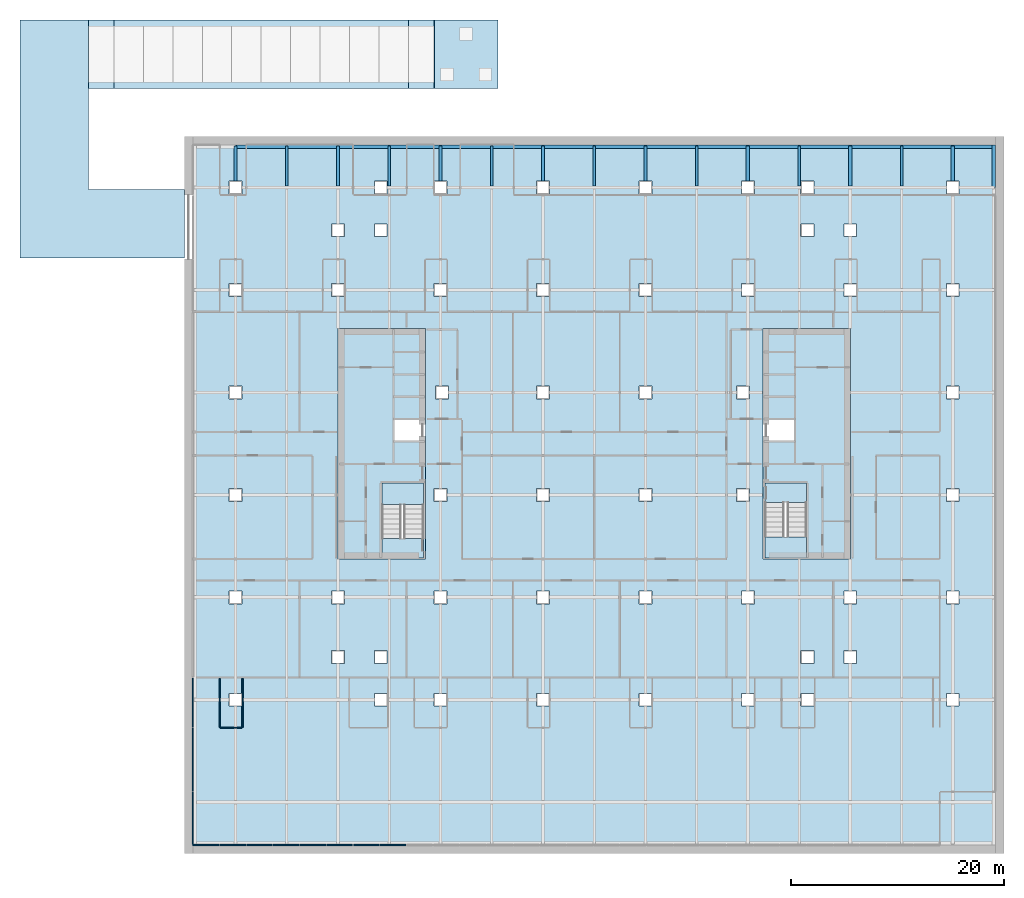
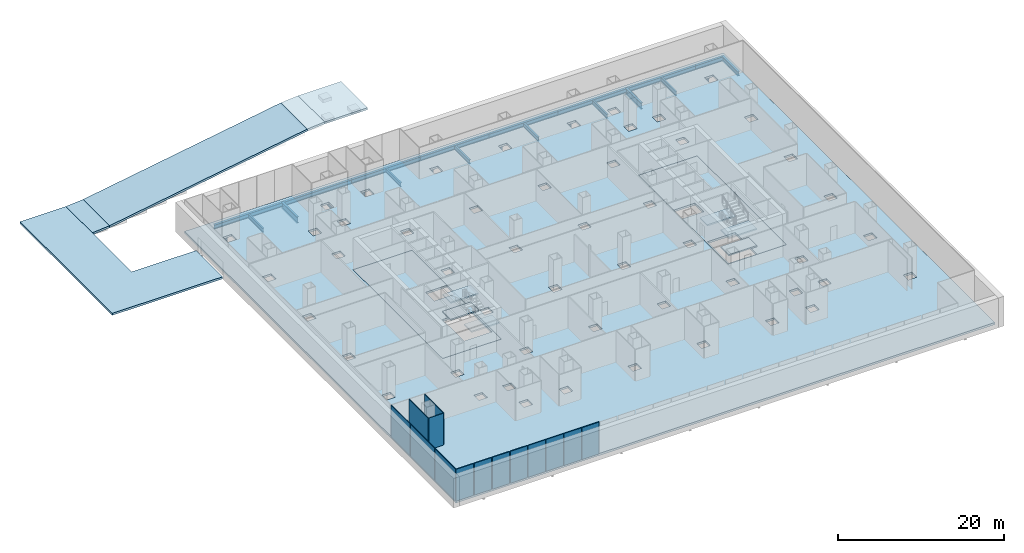
# One storey, part 4 of 11: 22 beams, 14 slabs, 14 walls, 2 elements without a shape of their own.
"""IFC4 building model written with IfcOpenShell, lengths in metres."""

import ifcopenshell
import ifcopenshell.guid

model = None  # the IFC model being written
_history = None  # IfcOwnerHistory: only IFC2X3 demands one
_inside = {}  # id of a spatial element -> (the spatial element, [elements in it])
_under = {}  # id of a project, library or spatial element -> (it, [spatial elements below it])
_declared = {}  # id of a project -> (the project, [libraries it declares])
_typed = {}  # id of a type object -> (the type object, [elements of that type])
_made_of = {}  # id of a material, layer set ... -> (it, [elements and type objects made of it])


def new_model(schema):
    """Start an empty IFC model of exactly this schema.

    Asked for "IFC4X3", IfcOpenShell would pick the latest addendum, in which some entities
    have other attributes; the version numbers below select the first issue.
    IFC2X3 requires an IfcOwnerHistory on every rooted entity: one is made here for all.
    """
    global model, _history
    if schema == "IFC4X3":
        model = ifcopenshell.file(schema_version=(4, 3, 0, 0))
    else:
        model = ifcopenshell.file(schema=schema)
    _inside.clear()
    _under.clear()
    _declared.clear()
    _typed.clear()
    _made_of.clear()
    _history = None
    if model.schema == "IFC2X3":
        org = make("IfcOrganization", Name="unknown")
        user = make(
            "IfcPersonAndOrganization",
            ThePerson=make("IfcPerson", FamilyName="unknown"),
            TheOrganization=org,
        )
        app = make(
            "IfcApplication",
            ApplicationDeveloper=org,
            Version="unknown",
            ApplicationFullName="unknown",
            ApplicationIdentifier="unknown",
        )
        _history = make(
            "IfcOwnerHistory",
            OwningUser=user,
            OwningApplication=app,
            ChangeAction="ADDED",
            CreationDate=0,
        )
    return model


def make(cls, **values):
    """One entity of the class cls with the attributes given. An attribute that is None is left unset."""
    return model.create_entity(
        cls, **{name: value for name, value in values.items() if value is not None}
    )


def rooted(cls, **values):
    """An entity with a GlobalId (a new one), such as an element, a storey or a relation."""
    return make(cls, GlobalId=ifcopenshell.guid.new(), OwnerHistory=_history, **values)


def si_unit(unit_type, name, prefix=None):
    """IfcSIUnit, for example si_unit("LENGTHUNIT", "METRE", prefix="MILLI")."""
    return make("IfcSIUnit", UnitType=unit_type, Prefix=prefix, Name=name)


def assignment(units):
    """IfcUnitAssignment: the units of a project."""
    return None if units is None else make("IfcUnitAssignment", Units=units)


def point(xyz):
    """IfcCartesianPoint."""
    return None if xyz is None else make("IfcCartesianPoint", Coordinates=xyz)


def direction(xyz):
    """IfcDirection."""
    return None if xyz is None else make("IfcDirection", DirectionRatios=xyz)


def frame(location, z_axis=None, x_axis=None):
    """IfcAxis2Placement3D, a coordinate frame: its origin and axes. An axis left out is left unset."""
    return make(
        "IfcAxis2Placement3D",
        Location=point(location),
        Axis=direction(z_axis),
        RefDirection=direction(x_axis),
    )


def frame_2d(location, x_axis=None):
    """IfcAxis2Placement2D, a coordinate frame in the plane: its origin and x axis."""
    return make(
        "IfcAxis2Placement2D", Location=point(location), RefDirection=direction(x_axis)
    )


def origin():
    """The frame at (0, 0, 0) with its axes left unset."""
    return frame((0.0, 0.0, 0.0))


def origin_2d():
    """The frame at (0, 0) in the plane with its x axis left unset."""
    return frame_2d((0.0, 0.0))


def place(relative_to, where):
    """IfcLocalPlacement: puts the frame where relative to a parent placement (None: the world)."""
    return make(
        "IfcLocalPlacement", PlacementRelTo=relative_to, RelativePlacement=where
    )


def context(
    kind, dimensions, precision=None, world=None, true_north=None, identifier=None
):
    """IfcGeometricRepresentationContext, for example the 3D "Model" context."""
    return make(
        "IfcGeometricRepresentationContext",
        ContextIdentifier=identifier,
        ContextType=kind,
        CoordinateSpaceDimension=dimensions,
        Precision=precision,
        WorldCoordinateSystem=world,
        TrueNorth=true_north,
    )


def subcontext(parent, identifier, kind, view, scale=None):
    """IfcGeometricRepresentationSubContext, for example "Body" below "Model"."""
    return make(
        "IfcGeometricRepresentationSubContext",
        ContextIdentifier=identifier,
        ContextType=kind,
        ParentContext=parent,
        TargetScale=scale,
        TargetView=view,
    )


def project(units=None, contexts=None):
    """IfcProject with its units and contexts."""
    return rooted(
        "IfcProject",
        Name="project",
        RepresentationContexts=contexts,
        UnitsInContext=assignment(units),
    )


def spatial(cls, under=None, at=None, **own):
    """A site, building, storey or space (cls), placed at a placement, below another one or the project."""
    s = rooted(cls, ObjectPlacement=at, **own)
    if under is not None:
        _under.setdefault(under.id(), (under, []))[1].append(s)
    return s


def polyline(points):
    """IfcPolyline through the points."""
    return make("IfcPolyline", Points=[point(p) for p in points])


def profile(cls, at=None, kind="AREA", **sizes):
    """A parametric profile (cls). Its sizes go by their IFC names, for example OverallWidth=200.0."""
    return make(cls, ProfileType=kind, Position=at, **sizes)


def rectangle(**sizes):
    """IfcRectangleProfileDef."""
    return profile("IfcRectangleProfileDef", **sizes)


def i_section(**sizes):
    """IfcIShapeProfileDef."""
    return profile("IfcIShapeProfileDef", **sizes)


def outline(outer, holes=None, kind="AREA"):
    """IfcArbitraryClosedProfileDef: a profile drawn as a closed curve; with holes, ...WithVoids."""
    if holes is None:
        return make("IfcArbitraryClosedProfileDef", ProfileType=kind, OuterCurve=outer)
    return make(
        "IfcArbitraryProfileDefWithVoids",
        ProfileType=kind,
        OuterCurve=outer,
        InnerCurves=holes,
    )


def extrude(swept, where, along, depth):
    """IfcExtrudedAreaSolid: the profile swept, set in the frame where, extruded along a direction by depth."""
    return make(
        "IfcExtrudedAreaSolid",
        SweptArea=swept,
        Position=where,
        ExtrudedDirection=direction(along),
        Depth=depth,
    )


def shape(context_of_items, identifier, shape_type, items):
    """IfcShapeRepresentation: the items that make up one representation, for example the "Body"."""
    return make(
        "IfcShapeRepresentation",
        ContextOfItems=context_of_items,
        RepresentationIdentifier=identifier,
        RepresentationType=shape_type,
        Items=items,
    )


def material(Name=None, Category=None):
    """IfcMaterial."""
    return make("IfcMaterial", Name=Name, Category=Category)


def layer(
    of_material, thickness, ventilated=None, Name=None, Category=None, Priority=None
):
    """IfcMaterialLayer: one layer of a wall or slab, of a material (None: an air gap)."""
    return make(
        "IfcMaterialLayer",
        Material=of_material,
        LayerThickness=thickness,
        IsVentilated=ventilated,
        Name=Name,
        Category=Category,
        Priority=Priority,
    )


def layer_set(layers, Name=None):
    """IfcMaterialLayerSet."""
    return make("IfcMaterialLayerSet", MaterialLayers=layers, LayerSetName=Name)


def material_profile(
    of_material, cross_section, Name=None, Category=None, Priority=None
):
    """IfcMaterialProfile: a cross section and its material."""
    return make(
        "IfcMaterialProfile",
        Name=Name,
        Material=of_material,
        Profile=cross_section,
        Priority=Priority,
        Category=Category,
    )


def profile_set(profiles, Name=None, composite=None):
    """IfcMaterialProfileSet."""
    return make(
        "IfcMaterialProfileSet",
        Name=Name,
        MaterialProfiles=profiles,
        CompositeProfile=composite,
    )


def made_of(thing, what):
    """Note that an element or type object is made of a material, layer set ...; save() writes the relation."""
    if what is not None:
        _made_of.setdefault(what.id(), (what, []))[1].append(thing)
    return thing


def type_object(cls, material=None, **own):
    """A type object (cls), such as IfcWallType, which elements share."""
    return made_of(rooted(cls, **own), material)


def element(
    cls,
    number,
    at=None,
    inside=None,
    cuts=None,
    type_object=None,
    material=None,
    context=None,
    identifier="Body",
    shape_type=None,
    held_by="IfcProductDefinitionShape",
    body=None,
    shapes=None,
    **own,
):
    """One element of the class cls, such as IfcWall. Its Tag is "e" and its number.

    at: its placement. inside: the storey or other place that contains it. cuts: it is an
    opening in that element (IfcRelVoidsElement). A single representation is given by context,
    identifier, shape_type and body (its items); several are given by shapes. held_by: the class
    of the entity that holds the representations. save() writes the other relations.
    """
    e = rooted(cls, Tag="e%d" % number, ObjectPlacement=at, **own)
    if body is not None:
        shapes = [shape(context, identifier, shape_type, body)]
    if shapes is not None:
        e.Representation = make(held_by, Representations=shapes)
    if inside is not None:
        _inside.setdefault(inside.id(), (inside, []))[1].append(e)
    if cuts is not None:
        rooted(
            "IfcRelVoidsElement", RelatingBuildingElement=cuts, RelatedOpeningElement=e
        )
    if type_object is not None:
        _typed.setdefault(type_object.id(), (type_object, []))[1].append(e)
    return made_of(e, material)


def aggregate(whole, parts):
    """IfcRelAggregates: a whole, such as a stair, and the parts it consists of."""
    return rooted("IfcRelAggregates", RelatingObject=whole, RelatedObjects=parts)


def save(model, path):
    """Write the relations noted so far, then the file.

    IfcRelAggregates (storeys below a building ...), IfcRelContainedInSpatialStructure (elements
    in a storey), IfcRelDefinesByType, IfcRelAssociatesMaterial and IfcRelDeclares: one each for
    every whole, place, type object, material and project.
    """
    for whole, parts in _under.values():
        aggregate(whole, parts)
    for where, things in _inside.values():
        rooted(
            "IfcRelContainedInSpatialStructure",
            RelatedElements=things,
            RelatingStructure=where,
        )
    for kind, things in _typed.values():
        rooted("IfcRelDefinesByType", RelatedObjects=things, RelatingType=kind)
    for what, things in _made_of.values():
        rooted("IfcRelAssociatesMaterial", RelatedObjects=things, RelatingMaterial=what)
    for by, libraries in _declared.values():
        rooted("IfcRelDeclares", RelatingContext=by, RelatedDefinitions=libraries)
    model.write(path)


model = new_model("IFC4")

# Units and contexts
model_context = context("Model", 3, precision=1e-05, world=origin(), true_north=direction((0.0, 1.0)))
body_context = subcontext(model_context, "Body", "Model", "MODEL_VIEW")
ifc_project = project(units=[si_unit("LENGTHUNIT", "METRE"), si_unit("AREAUNIT", "SQUARE_METRE"), si_unit("VOLUMEUNIT", "CUBIC_METRE"), si_unit("PLANEANGLEUNIT", "RADIAN"), si_unit("MASSUNIT", "GRAM", prefix="KILO")], contexts=[model_context])

# Site, building, storey
site_placement = place(None, origin())
site = spatial("IfcSite", under=ifc_project, at=site_placement, CompositionType="ELEMENT")
building_placement = place(site_placement, origin())
building = spatial("IfcBuilding", under=site, at=building_placement, Name="Cobrizo Arcos Hotel Tower", CompositionType="ELEMENT")
storey_placement = place(building_placement, frame((0.0, 0.0, -5.0)))
storey = spatial("IfcBuildingStorey", under=building, at=storey_placement, Name="B1", CompositionType="ELEMENT", Elevation=-5.0)

# Beams
ifc_material_1 = material(Name="Steel ASTM A992 Grade 50", Category="steel")
ifc_material_profile_1 = material_profile(ifc_material_1, i_section(OverallWidth=0.32763671875, OverallDepth=0.622314453125, WebThickness=0.015380859375, FlangeThickness=0.0244140625, at=origin_2d()), Name="W24X131")
ifc_profile_set_1 = profile_set([ifc_material_profile_1], Name="Steel ASTM A992 Grade 50")
beam_type_1 = type_object("IfcBeamType", Name="W24X131 edge beam", PredefinedType="BEAM", material=ifc_profile_set_1)
beam_1_placement = place(storey_placement, frame((-33.60009765625, 27.836181640625, -0.611083984375), z_axis=(1.0, 0.0, 0.0), x_axis=(0.0, 1.0, 0.0)))
element("IfcBeam", 1, at=beam_1_placement, inside=storey, type_object=beam_type_1, Name="Edge beam EB1, B1, no. 010", PredefinedType="BEAM", context=body_context, shape_type="SweptSolid", body=[
    extrude(i_section(OverallWidth=0.32763671875, OverallDepth=0.622314453125, WebThickness=0.015380859375, FlangeThickness=0.0244140625, at=origin_2d()), origin(), (0.0, 0.0, 1.0), 19.2001953125),
])
beam_2_placement = place(storey_placement, frame((-14.39990234375, 27.836181640625, -0.611083984375), z_axis=(1.0, 0.0, 0.0), x_axis=(0.0, 1.0, 0.0)))
element("IfcBeam", 2, at=beam_2_placement, inside=storey, type_object=beam_type_1, Name="Edge beam EB1, B1, no. 011", PredefinedType="BEAM", context=body_context, shape_type="SweptSolid", body=[
    extrude(i_section(OverallWidth=0.32763671875, OverallDepth=0.622314453125, WebThickness=0.015380859375, FlangeThickness=0.0244140625, at=origin_2d()), origin(), (0.0, 0.0, 1.0), 9.599853515625),
])
beam_3_placement = place(storey_placement, frame((-4.800048828125, 27.836181640625, -0.611083984375), z_axis=(1.0, 0.0, 0.0), x_axis=(0.0, 1.0, 0.0)))
element("IfcBeam", 3, at=beam_3_placement, inside=storey, type_object=beam_type_1, Name="Edge beam EB1, B1, no. 012", PredefinedType="BEAM", context=body_context, shape_type="SweptSolid", body=[
    extrude(i_section(OverallWidth=0.32763671875, OverallDepth=0.622314453125, WebThickness=0.015380859375, FlangeThickness=0.0244140625, at=origin_2d()), origin(), (0.0, 0.0, 1.0), 9.60009765625),
])
beam_4_placement = place(storey_placement, frame((4.800048828125, 27.836181640625, -0.611083984375), z_axis=(1.0, 0.0, 0.0), x_axis=(0.0, 1.0, 0.0)))
element("IfcBeam", 4, at=beam_4_placement, inside=storey, type_object=beam_type_1, Name="Edge beam EB1, B1, no. 013", PredefinedType="BEAM", context=body_context, shape_type="SweptSolid", body=[
    extrude(i_section(OverallWidth=0.32763671875, OverallDepth=0.622314453125, WebThickness=0.015380859375, FlangeThickness=0.0244140625, at=origin_2d()), origin(), (0.0, 0.0, 1.0), 9.599853515625),
])
beam_5_placement = place(storey_placement, frame((14.39990234375, 27.836181640625, -0.611083984375), z_axis=(1.0, 0.0, 0.0), x_axis=(0.0, 1.0, 0.0)))
element("IfcBeam", 5, at=beam_5_placement, inside=storey, type_object=beam_type_1, Name="Edge beam EB1, B1, no. 014", PredefinedType="BEAM", context=body_context, shape_type="SweptSolid", body=[
    extrude(i_section(OverallWidth=0.32763671875, OverallDepth=0.622314453125, WebThickness=0.015380859375, FlangeThickness=0.0244140625, at=origin_2d()), origin(), (0.0, 0.0, 1.0), 19.2001953125),
])
for number, where, z_axis, x_axis, name in (
    (6, (33.60009765625, 27.836181640625, -0.611083984375), (1.0, 0.0, 0.0), (0.0, 1.0, 0.0), "Edge beam EB1, B1, no. 015"),
    (7, (37.436279296875, 28.0, -0.611083984375), (0.0, -1.0, 0.0), (1.0, 0.0, 0.0), "Edge beam EB1, B1, no. 016"),
):
    element("IfcBeam", number, at=place(storey_placement, frame(where, z_axis=z_axis, x_axis=x_axis)), inside=storey, type_object=beam_type_1, Name=name, PredefinedType="BEAM", context=body_context, shape_type="SweptSolid", body=[
        extrude(i_section(OverallWidth=0.32763671875, OverallDepth=0.622314453125, WebThickness=0.015380859375, FlangeThickness=0.0244140625, at=origin_2d()), origin(), (0.0, 0.0, 1.0), 4.0),
    ])
ifc_material_profile_2 = material_profile(ifc_material_1, i_section(OverallWidth=0.23046875, OverallDepth=0.6171875, WebThickness=0.01318359375, FlangeThickness=0.022216796875, at=origin_2d()), Name="W24X94")
ifc_profile_set_2 = profile_set([ifc_material_profile_2], Name="Steel ASTM A992 Grade 50")
beam_type_2 = type_object("IfcBeamType", Name="W24X94 podium joist", PredefinedType="JOIST", material=ifc_profile_set_2)
for number, where, z_axis, x_axis, name in (
    (8, (-28.800048828125, 24.153564453125, -0.608642578125), (0.0, 1.0, 0.0), (-1.0, 0.0, 0.0), "Podium joist PJ1, B1, no. 008"),
    (9, (-19.199951171875, 24.153564453125, -0.608642578125), (0.0, 1.0, 0.0), (-1.0, 0.0, 0.0), "Podium joist PJ1, B1, no. 015"),
    (10, (-9.60009765625, 24.153564453125, -0.608642578125), (0.0, 1.0, 0.0), (-1.0, 0.0, 0.0), "Podium joist PJ1, B1, no. 023"),
    (11, (0.0, 24.153564453125, -0.608642578125), (0.0, 1.0, 0.0), (-1.0, 0.0, 0.0), "Podium joist PJ1, B1, no. 031"),
    (12, (9.60009765625, 24.153564453125, -0.608642578125), (0.0, 1.0, 0.0), (-1.0, 0.0, 0.0), "Podium joist PJ1, B1, no. 039"),
    (13, (19.199951171875, 24.153564453125, -0.608642578125), (0.0, 1.0, 0.0), (-1.0, 0.0, 0.0), "Podium joist PJ1, B1, no. 046"),
    (14, (28.800048828125, 24.153564453125, -0.608642578125), (0.0, 1.0, 0.0), (-1.0, 0.0, 0.0), "Podium joist PJ1, B1, no. 054"),
):
    element("IfcBeam", number, at=place(storey_placement, frame(where, z_axis=z_axis, x_axis=x_axis)), inside=storey, type_object=beam_type_2, Name=name, PredefinedType="JOIST", context=body_context, shape_type="SweptSolid", body=[
        extrude(i_section(OverallWidth=0.23046875, OverallDepth=0.6171875, WebThickness=0.01318359375, FlangeThickness=0.022216796875, at=origin_2d()), origin(), (0.0, 0.0, 1.0), 3.75634765625),
    ])
ifc_material_profile_3 = material_profile(ifc_material_1, i_section(OverallWidth=0.307373046875, OverallDepth=0.927001953125, WebThickness=0.01953125, FlangeThickness=0.031982421875, at=origin_2d()), Name="W36X194")
ifc_profile_set_3 = profile_set([ifc_material_profile_3], Name="Steel ASTM A992 Grade 50")
beam_type_3 = type_object("IfcBeamType", Name="W36X194 podium girder", PredefinedType="BEAM", material=ifc_profile_set_3)
beam_6_placement = place(storey_placement, frame((-33.60009765625, 24.60009765625, -0.763427734375), z_axis=(0.0, 1.0, 0.0), x_axis=(-1.0, 0.0, 0.0)))
element("IfcBeam", 15, at=beam_6_placement, inside=storey, type_object=beam_type_3, Name="Podium girder PG1, B1, no. 061", PredefinedType="BEAM", context=body_context, shape_type="SweptSolid", body=[
    extrude(i_section(OverallWidth=0.307373046875, OverallDepth=0.927001953125, WebThickness=0.01953125, FlangeThickness=0.031982421875, at=origin_2d()), origin(), (0.0, 0.0, 1.0), 3.309814453125),
])
beam_7_placement = place(storey_placement, frame((-24.0, 24.153564453125, -0.763427734375), z_axis=(0.0, 1.0, 0.0), x_axis=(-1.0, 0.0, 0.0)))
element("IfcBeam", 16, at=beam_7_placement, inside=storey, type_object=beam_type_3, Name="Podium girder PG1, B1, no. 070", PredefinedType="BEAM", context=body_context, shape_type="SweptSolid", body=[
    extrude(i_section(OverallWidth=0.307373046875, OverallDepth=0.927001953125, WebThickness=0.01953125, FlangeThickness=0.031982421875, at=origin_2d()), origin(), (0.0, 0.0, 1.0), 3.75634765625),
])
for number, where, z_axis, x_axis, name in (
    (17, (-14.39990234375, 24.60009765625, -0.763427734375), (0.0, 1.0, 0.0), (-1.0, 0.0, 0.0), "Podium girder PG1, B1, no. 078"),
    (18, (-4.800048828125, 24.60009765625, -0.763427734375), (0.0, 1.0, 0.0), (-1.0, 0.0, 0.0), "Podium girder PG1, B1, no. 086"),
    (19, (4.800048828125, 24.60009765625, -0.763427734375), (0.0, 1.0, 0.0), (-1.0, 0.0, 0.0), "Podium girder PG1, B1, no. 094"),
    (20, (14.39990234375, 24.60009765625, -0.763427734375), (0.0, 1.0, 0.0), (-1.0, 0.0, 0.0), "Podium girder PG1, B1, no. 102"),
):
    element("IfcBeam", number, at=place(storey_placement, frame(where, z_axis=z_axis, x_axis=x_axis)), inside=storey, type_object=beam_type_3, Name=name, PredefinedType="BEAM", context=body_context, shape_type="SweptSolid", body=[
        extrude(i_section(OverallWidth=0.307373046875, OverallDepth=0.927001953125, WebThickness=0.01953125, FlangeThickness=0.031982421875, at=origin_2d()), origin(), (0.0, 0.0, 1.0), 3.309814453125),
    ])
beam_8_placement = place(storey_placement, frame((24.0, 24.153564453125, -0.763427734375), z_axis=(0.0, 1.0, 0.0), x_axis=(-1.0, 0.0, 0.0)))
element("IfcBeam", 21, at=beam_8_placement, inside=storey, type_object=beam_type_3, Name="Podium girder PG1, B1, no. 111", PredefinedType="BEAM", context=body_context, shape_type="SweptSolid", body=[
    extrude(i_section(OverallWidth=0.307373046875, OverallDepth=0.927001953125, WebThickness=0.01953125, FlangeThickness=0.031982421875, at=origin_2d()), origin(), (0.0, 0.0, 1.0), 3.75634765625),
])
beam_9_placement = place(storey_placement, frame((33.60009765625, 24.60009765625, -0.763427734375), z_axis=(0.0, 1.0, 0.0), x_axis=(-1.0, 0.0, 0.0)))
element("IfcBeam", 22, at=beam_9_placement, inside=storey, type_object=beam_type_3, Name="Podium girder PG1, B1, no. 119", PredefinedType="BEAM", context=body_context, shape_type="SweptSolid", body=[
    extrude(i_section(OverallWidth=0.307373046875, OverallDepth=0.927001953125, WebThickness=0.01953125, FlangeThickness=0.031982421875, at=origin_2d()), origin(), (0.0, 0.0, 1.0), 3.309814453125),
])

# Slabs
ifc_material_2 = material(Name="Concrete f'c 35 MPa", Category="concrete")
ifc_layer_1 = layer(ifc_material_2, 0.300048828125)
ifc_layer_set_1 = layer_set([ifc_layer_1], Name="Composite floor slab 300 f'c 35")
slab_type_1 = type_object("IfcSlabType", Name="Composite floor slab 300 f'c 35", PredefinedType="FLOOR", material=ifc_layer_set_1)
slab_1_placement = place(storey_placement, frame((0.0, 0.0, -0.300048828125)))
element("IfcSlab", 23, at=slab_1_placement, inside=storey, type_object=slab_type_1, Name="Floor slab S2, B1, no. 01", PredefinedType="FLOOR", context=body_context, shape_type="SweptSolid", body=[
    extrude(outline(polyline([(-37.60009765625, -37.60009765625), (-37.60009765625, 28.0), (37.60009765625, 28.0), (37.60009765625, -37.60009765625), (-37.60009765625, -37.60009765625)]), holes=[polyline([(-33.0, -24.60009765625), (-33.0, -23.39990234375), (-34.199951171875, -23.39990234375), (-34.199951171875, -24.60009765625), (-33.0, -24.60009765625)]), polyline([(-20.60009765625, -24.60009765625), (-19.39990234375, -24.60009765625), (-19.39990234375, -23.39990234375), (-20.60009765625, -23.39990234375), (-20.60009765625, -24.60009765625)]), polyline([(-20.60009765625, -20.60009765625), (-19.39990234375, -20.60009765625), (-19.39990234375, -19.39990234375), (-20.60009765625, -19.39990234375), (-20.60009765625, -20.60009765625)]), polyline([(-23.39990234375, -20.60009765625), (-23.39990234375, -19.39990234375), (-24.60009765625, -19.39990234375), (-24.60009765625, -20.60009765625), (-23.39990234375, -20.60009765625)]), polyline([(-34.199951171875, -15.0), (-33.0, -15.0), (-33.0, -13.800048828125), (-34.199951171875, -13.800048828125), (-34.199951171875, -15.0)]), polyline([(-15.0, -15.0), (-13.800048828125, -15.0), (-13.800048828125, -13.800048828125), (-15.0, -13.800048828125), (-15.0, -15.0)]), polyline([(-23.39990234375, -15.0), (-23.39990234375, -13.800048828125), (-24.60009765625, -13.800048828125), (-24.60009765625, -15.0), (-23.39990234375, -15.0)]), polyline([(-15.0, -5.39990234375), (-13.800048828125, -5.39990234375), (-13.800048828125, -4.199951171875), (-15.0, -4.199951171875), (-15.0, -5.39990234375)]), polyline([(-34.199951171875, -5.39990234375), (-33.0, -5.39990234375), (-33.0, -4.199951171875), (-34.199951171875, -4.199951171875), (-34.199951171875, -5.39990234375)]), polyline([(-24.0, -10.800048828125), (-15.800048828125, -10.800048828125), (-15.800048828125, 10.800048828125), (-24.0, 10.800048828125), (-24.0, -10.800048828125)]), polyline([(-34.199951171875, 4.199951171875), (-33.0, 4.199951171875), (-33.0, 5.39990234375), (-34.199951171875, 5.39990234375), (-34.199951171875, 4.199951171875)]), polyline([(-24.60009765625, 13.800048828125), (-23.39990234375, 13.800048828125), (-23.39990234375, 15.0), (-24.60009765625, 15.0), (-24.60009765625, 13.800048828125)]), polyline([(-34.199951171875, 13.800048828125), (-33.0, 13.800048828125), (-33.0, 15.0), (-34.199951171875, 15.0), (-34.199951171875, 13.800048828125)]), polyline([(-13.800048828125, 13.800048828125), (-13.800048828125, 15.0), (-15.0, 15.0), (-15.0, 13.800048828125), (-13.800048828125, 13.800048828125)]), polyline([(-24.60009765625, 19.39990234375), (-23.39990234375, 19.39990234375), (-23.39990234375, 20.60009765625), (-24.60009765625, 20.60009765625), (-24.60009765625, 19.39990234375)]), polyline([(-20.60009765625, 19.39990234375), (-19.39990234375, 19.39990234375), (-19.39990234375, 20.60009765625), (-20.60009765625, 20.60009765625), (-20.60009765625, 19.39990234375)]), polyline([(-34.199951171875, 23.39990234375), (-33.0, 23.39990234375), (-33.0, 24.60009765625), (-34.199951171875, 24.60009765625), (-34.199951171875, 23.39990234375)]), polyline([(-20.60009765625, 23.39990234375), (-19.39990234375, 23.39990234375), (-19.39990234375, 24.60009765625), (-20.60009765625, 24.60009765625), (-20.60009765625, 23.39990234375)]), polyline([(-15.0, -24.60009765625), (-13.800048828125, -24.60009765625), (-13.800048828125, -23.39990234375), (-15.0, -23.39990234375), (-15.0, -24.60009765625)]), polyline([(4.199951171875, -24.60009765625), (5.39990234375, -24.60009765625), (5.39990234375, -23.39990234375), (4.199951171875, -23.39990234375), (4.199951171875, -24.60009765625)]), polyline([(-4.199951171875, -24.60009765625), (-4.199951171875, -23.39990234375), (-5.39990234375, -23.39990234375), (-5.39990234375, -24.60009765625), (-4.199951171875, -24.60009765625)]), polyline([(13.800048828125, -15.0), (15.0, -15.0), (15.0, -13.800048828125), (13.800048828125, -13.800048828125), (13.800048828125, -15.0)]), polyline([(4.199951171875, -15.0), (5.39990234375, -15.0), (5.39990234375, -13.800048828125), (4.199951171875, -13.800048828125), (4.199951171875, -15.0)]), polyline([(-5.39990234375, -15.0), (-4.199951171875, -15.0), (-4.199951171875, -13.800048828125), (-5.39990234375, -13.800048828125), (-5.39990234375, -15.0)]), polyline([(-5.39990234375, -5.39990234375), (-4.199951171875, -5.39990234375), (-4.199951171875, -4.199951171875), (-5.39990234375, -4.199951171875), (-5.39990234375, -5.39990234375)]), polyline([(4.199951171875, -5.39990234375), (5.39990234375, -5.39990234375), (5.39990234375, -4.199951171875), (4.199951171875, -4.199951171875), (4.199951171875, -5.39990234375)]), polyline([(13.340087890625, -5.39990234375), (14.5400390625, -5.39990234375), (14.5400390625, -4.199951171875), (13.340087890625, -4.199951171875), (13.340087890625, -5.39990234375)]), polyline([(-4.199951171875, 4.199951171875), (-4.199951171875, 5.39990234375), (-5.39990234375, 5.39990234375), (-5.39990234375, 4.199951171875), (-4.199951171875, 4.199951171875)]), polyline([(4.199951171875, 4.199951171875), (5.39990234375, 4.199951171875), (5.39990234375, 5.39990234375), (4.199951171875, 5.39990234375), (4.199951171875, 4.199951171875)]), polyline([(-14.85009765625, 4.199951171875), (-13.64990234375, 4.199951171875), (-13.64990234375, 5.39990234375), (-14.85009765625, 5.39990234375), (-14.85009765625, 4.199951171875)]), polyline([(14.5400390625, 4.199951171875), (14.5400390625, 5.39990234375), (13.340087890625, 5.39990234375), (13.340087890625, 4.199951171875), (14.5400390625, 4.199951171875)]), polyline([(-5.39990234375, 13.800048828125), (-4.199951171875, 13.800048828125), (-4.199951171875, 15.0), (-5.39990234375, 15.0), (-5.39990234375, 13.800048828125)]), polyline([(4.199951171875, 13.800048828125), (5.39990234375, 13.800048828125), (5.39990234375, 15.0), (4.199951171875, 15.0), (4.199951171875, 13.800048828125)]), polyline([(-4.199951171875, 23.39990234375), (-4.199951171875, 24.60009765625), (-5.39990234375, 24.60009765625), (-5.39990234375, 23.39990234375), (-4.199951171875, 23.39990234375)]), polyline([(4.199951171875, 23.39990234375), (5.39990234375, 23.39990234375), (5.39990234375, 24.60009765625), (4.199951171875, 24.60009765625), (4.199951171875, 23.39990234375)]), polyline([(-15.0, 23.39990234375), (-13.800048828125, 23.39990234375), (-13.800048828125, 24.60009765625), (-15.0, 24.60009765625), (-15.0, 23.39990234375)]), polyline([(33.0, -24.60009765625), (34.199951171875, -24.60009765625), (34.199951171875, -23.39990234375), (33.0, -23.39990234375), (33.0, -24.60009765625)]), polyline([(13.800048828125, -24.60009765625), (15.0, -24.60009765625), (15.0, -23.39990234375), (13.800048828125, -23.39990234375), (13.800048828125, -24.60009765625)]), polyline([(19.39990234375, -24.60009765625), (20.60009765625, -24.60009765625), (20.60009765625, -23.39990234375), (19.39990234375, -23.39990234375), (19.39990234375, -24.60009765625)]), polyline([(23.39990234375, -20.60009765625), (24.60009765625, -20.60009765625), (24.60009765625, -19.39990234375), (23.39990234375, -19.39990234375), (23.39990234375, -20.60009765625)]), polyline([(20.60009765625, -20.60009765625), (20.60009765625, -19.39990234375), (19.39990234375, -19.39990234375), (19.39990234375, -20.60009765625), (20.60009765625, -20.60009765625)]), polyline([(23.39990234375, -15.0), (24.60009765625, -15.0), (24.60009765625, -13.800048828125), (23.39990234375, -13.800048828125), (23.39990234375, -15.0)]), polyline([(33.0, -15.0), (34.199951171875, -15.0), (34.199951171875, -13.800048828125), (33.0, -13.800048828125), (33.0, -15.0)]), polyline([(33.0, -5.39990234375), (34.199951171875, -5.39990234375), (34.199951171875, -4.199951171875), (33.0, -4.199951171875), (33.0, -5.39990234375)]), polyline([(15.800048828125, -10.800048828125), (24.0, -10.800048828125), (24.0, 10.800048828125), (15.800048828125, 10.800048828125), (15.800048828125, -10.800048828125)]), polyline([(33.0, 4.199951171875), (34.199951171875, 4.199951171875), (34.199951171875, 5.39990234375), (33.0, 5.39990234375), (33.0, 4.199951171875)]), polyline([(13.800048828125, 13.800048828125), (15.0, 13.800048828125), (15.0, 15.0), (13.800048828125, 15.0), (13.800048828125, 13.800048828125)]), polyline([(24.60009765625, 13.800048828125), (24.60009765625, 15.0), (23.39990234375, 15.0), (23.39990234375, 13.800048828125), (24.60009765625, 13.800048828125)]), polyline([(33.0, 13.800048828125), (34.199951171875, 13.800048828125), (34.199951171875, 15.0), (33.0, 15.0), (33.0, 13.800048828125)]), polyline([(19.39990234375, 19.39990234375), (20.60009765625, 19.39990234375), (20.60009765625, 20.60009765625), (19.39990234375, 20.60009765625), (19.39990234375, 19.39990234375)]), polyline([(23.39990234375, 19.39990234375), (24.60009765625, 19.39990234375), (24.60009765625, 20.60009765625), (23.39990234375, 20.60009765625), (23.39990234375, 19.39990234375)]), polyline([(19.39990234375, 23.39990234375), (20.60009765625, 23.39990234375), (20.60009765625, 24.60009765625), (19.39990234375, 24.60009765625), (19.39990234375, 23.39990234375)]), polyline([(33.0, 23.39990234375), (34.199951171875, 23.39990234375), (34.199951171875, 24.60009765625), (33.0, 24.60009765625), (33.0, 23.39990234375)]), polyline([(13.800048828125, 23.39990234375), (15.0, 23.39990234375), (15.0, 24.60009765625), (13.800048828125, 24.60009765625), (13.800048828125, 23.39990234375)])]), origin(), (0.0, 0.0, 1.0), 0.300048828125),
])
ifc_material_3 = material(Name="Concrete f'c 60 MPa", Category="concrete")
ifc_layer_2 = layer(ifc_material_3, 0.300048828125)
ifc_layer_set_2 = layer_set([ifc_layer_2], Name="RC core floor slab 300 f'c 60")
slab_type_2 = type_object("IfcSlabType", Name="RC core floor slab 300 f'c 60", PredefinedType="FLOOR", material=ifc_layer_set_2)
slab_2_placement = place(storey_placement, frame((0.0, 0.0, -0.300048828125)))
element("IfcSlab", 24, at=slab_2_placement, inside=storey, type_object=slab_type_2, Name="Core floor slab CS2, east core, B1", PredefinedType="FLOOR", context=body_context, shape_type="SweptSolid", body=[
    extrude(outline(polyline([(15.800048828125, 10.800048828125), (24.0, 10.800048828125), (24.0, -10.800048828125), (15.800048828125, -10.800048828125), (15.800048828125, 10.800048828125)]), holes=[polyline([(19.89794921875, -10.697998046875), (19.89794921875, -5.501953125), (16.001953125, -5.501953125), (16.001953125, -10.697998046875), (19.89794921875, -10.697998046875)]), polyline([(18.798095703125, 0.201904296875), (18.798095703125, 2.298095703125), (15.802001953125, 2.298095703125), (15.802001953125, 0.201904296875), (18.798095703125, 0.201904296875)])]), origin(), (0.0, 0.0, 1.0), 0.300048828125),
])
slab_3_placement = place(storey_placement, frame((0.0, 0.0, -0.300048828125)))
element("IfcSlab", 25, at=slab_3_placement, inside=storey, type_object=slab_type_2, Name="Core floor slab CS2, west core, B1", PredefinedType="FLOOR", context=body_context, shape_type="SweptSolid", body=[
    extrude(outline(polyline([(-24.0, 10.800048828125), (-15.800048828125, 10.800048828125), (-15.800048828125, -10.800048828125), (-24.0, -10.800048828125), (-24.0, 10.800048828125)]), holes=[polyline([(-19.89794921875, -3.701904296875), (-19.89794921875, -8.89794921875), (-16.001953125, -8.89794921875), (-16.001953125, -3.701904296875), (-19.89794921875, -3.701904296875)]), polyline([(-15.802001953125, 0.201904296875), (-15.802001953125, 2.298095703125), (-18.798095703125, 2.298095703125), (-18.798095703125, 0.201904296875), (-15.802001953125, 0.201904296875)])]), origin(), (0.0, 0.0, 1.0), 0.300048828125),
])
ifc_material_4 = material(Name="Concrete f'c 40 MPa", Category="concrete")
ifc_layer_3 = layer(ifc_material_4, 0.300048828125)
ifc_layer_set_3 = layer_set([ifc_layer_3], Name="Ramp apron slab 300 f'c 40 MPa")
slab_type_3 = type_object("IfcSlabType", Name="Ramp apron slab 300 f'c 40 MPa", PredefinedType="LANDING", material=ifc_layer_set_3)
slab_4_placement = place(storey_placement, frame((0.0, 0.0, 4.699951171875)))
element("IfcSlab", 26, at=slab_4_placement, inside=storey, type_object=slab_type_3, Name="Ramp A apron slab top", PredefinedType="LANDING", context=body_context, shape_type="SweptSolid", body=[
    extrude(outline(polyline([(-15.0, 33.300048828125), (-9.0, 33.300048828125), (-9.0, 39.699951171875), (-15.0, 39.699951171875), (-15.0, 33.300048828125)])), origin(), (0.0, 0.0, 1.0), 0.300048828125),
])
slab_5_placement = place(storey_placement, frame((0.0, 0.0, -0.300048828125)))
element("IfcSlab", 27, at=slab_5_placement, inside=storey, type_object=slab_type_3, Name="Ramp A apron slab foot", PredefinedType="LANDING", context=body_context, shape_type="SweptSolid", body=[
    extrude(outline(polyline([(-53.800048828125, 39.699951171875), (-47.39990234375, 39.699951171875), (-47.39990234375, 23.800048828125), (-38.39990234375, 23.800048828125), (-38.39990234375, 17.39990234375), (-53.800048828125, 17.39990234375), (-53.800048828125, 39.699951171875)])), origin(), (0.0, 0.0, 1.0), 0.300048828125),
])

# Stair, slabs
stair_type = type_object("IfcStairType", Name="Exit stair", PredefinedType="HALF_TURN_STAIR", material=ifc_material_4)
stair_1_placement = place(storey_placement, origin())
stair_1 = element("IfcStair", 28, at=stair_1_placement, inside=storey, type_object=stair_type, Name="B1 Exit stair ST-W", PredefinedType="HALF_TURN_STAIR")
ifc_layer_4 = layer(ifc_material_4, 0.199951171875)
ifc_layer_set_4 = layer_set([ifc_layer_4], Name="Stair landing")
slab_type_4 = type_object("IfcSlabType", Name="Stair landing", PredefinedType="LANDING", material=ifc_layer_set_4)
slab_6_placement = place(storey_placement, frame((0.0, 0.0, 1.050048828125)))
slab_6 = element("IfcSlab", 29, at=slab_6_placement, type_object=slab_type_4, Name="ST-W landing 1", PredefinedType="LANDING", context=body_context, shape_type="SweptSolid", body=[
    extrude(outline(polyline([(-16.0, -5.679931640625), (-16.0, -3.699951171875), (-19.89990234375, -3.699951171875), (-19.89990234375, -5.679931640625), (-16.0, -5.679931640625)])), origin(), (0.0, 0.0, 1.0), 0.199951171875),
])
slab_7_placement = place(storey_placement, frame((0.0, 0.0, 2.300048828125)))
slab_7 = element("IfcSlab", 30, at=slab_7_placement, type_object=slab_type_4, Name="ST-W landing 2", PredefinedType="LANDING", context=body_context, shape_type="SweptSolid", body=[
    extrude(outline(polyline([(-16.0, -10.699951171875), (-16.0, -8.89990234375), (-19.89990234375, -8.89990234375), (-19.89990234375, -10.699951171875), (-16.0, -10.699951171875)])), origin(), (0.0, 0.0, 1.0), 0.199951171875),
])
slab_8_placement = place(storey_placement, frame((0.0, 0.0, 3.550048828125)))
slab_8 = element("IfcSlab", 31, at=slab_8_placement, type_object=slab_type_4, Name="ST-W landing 3", PredefinedType="LANDING", context=body_context, shape_type="SweptSolid", body=[
    extrude(outline(polyline([(-16.0, -5.679931640625), (-16.0, -3.699951171875), (-19.89990234375, -3.699951171875), (-19.89990234375, -5.679931640625), (-16.0, -5.679931640625)])), origin(), (0.0, 0.0, 1.0), 0.199951171875),
])
aggregate(stair_1, [slab_6, slab_7, slab_8])

stair_2_placement = place(storey_placement, origin())
stair_2 = element("IfcStair", 32, at=stair_2_placement, inside=storey, type_object=stair_type, Name="B1 Exit stair ST-E", PredefinedType="HALF_TURN_STAIR")
slab_9_placement = place(storey_placement, frame((0.0, 0.0, 1.050048828125)))
slab_9 = element("IfcSlab", 33, at=slab_9_placement, type_object=slab_type_4, Name="ST-E landing 1", PredefinedType="LANDING", context=body_context, shape_type="SweptSolid", body=[
    extrude(outline(polyline([(16.0, -8.719970703125), (16.0, -10.699951171875), (19.89990234375, -10.699951171875), (19.89990234375, -8.719970703125), (16.0, -8.719970703125)])), origin(), (0.0, 0.0, 1.0), 0.199951171875),
])
slab_10_placement = place(storey_placement, frame((0.0, 0.0, 2.300048828125)))
slab_10 = element("IfcSlab", 34, at=slab_10_placement, type_object=slab_type_4, Name="ST-E landing 2", PredefinedType="LANDING", context=body_context, shape_type="SweptSolid", body=[
    extrude(outline(polyline([(16.0, -3.699951171875), (16.0, -5.5), (19.89990234375, -5.5), (19.89990234375, -3.699951171875), (16.0, -3.699951171875)])), origin(), (0.0, 0.0, 1.0), 0.199951171875),
])
slab_11_placement = place(storey_placement, frame((0.0, 0.0, 3.550048828125)))
slab_11 = element("IfcSlab", 35, at=slab_11_placement, type_object=slab_type_4, Name="ST-E landing 3", PredefinedType="LANDING", context=body_context, shape_type="SweptSolid", body=[
    extrude(outline(polyline([(16.0, -8.719970703125), (16.0, -10.699951171875), (19.89990234375, -10.699951171875), (19.89990234375, -8.719970703125), (16.0, -8.719970703125)])), origin(), (0.0, 0.0, 1.0), 0.199951171875),
])
aggregate(stair_2, [slab_9, slab_10, slab_11])

# Slabs
ifc_layer_5 = layer(ifc_material_4, 0.300048828125)
ifc_layer_set_5 = layer_set([ifc_layer_5], Name="Vehicle ramp slab 1 in 12 300 f'c 40 MPa")
slab_type_5 = type_object("IfcSlabType", Name="Vehicle ramp slab 1 in 12 300 f'c 40 MPa", PredefinedType="USERDEFINED", material=ifc_layer_set_5)
for number, where, z_axis, x_axis, name in (
    (36, (-15.0, 33.300048828125, 5.0), (-0.083028700011, 0.0, 0.996547156423), (-0.996547156423, 0.0, -0.083028700011), "Vehicle ramp a transition slab 1"),
    (37, (-45.0, 33.300048828125, 0.199951171875), (-0.083028700011, 0.0, 0.996547156423), (-0.996547156423, 0.0, -0.083028700011), "Vehicle ramp a transition slab 2"),
):
    element("IfcSlab", number, at=place(storey_placement, frame(where, z_axis=z_axis, x_axis=x_axis)), inside=storey, type_object=slab_type_5, Name=name, ObjectType="VEHICLE RAMP", PredefinedType="USERDEFINED", context=body_context, shape_type="SweptSolid", body=[
        extrude(outline(polyline([(0.0, 0.0), (2.408217542223071, 0.0), (2.408217542223071, -6.39990234375), (0.0, -6.39990234375), (0.0, 0.0)])), origin(), (0.0, 0.0, -1.0), 0.300048828125),
    ])
ifc_layer_6 = layer(ifc_material_4, 0.300048828125)
ifc_layer_set_6 = layer_set([ifc_layer_6], Name="Vehicle ramp slab 1 in 6 300 f'c 40 MPa")
slab_type_6 = type_object("IfcSlabType", Name="Vehicle ramp slab 1 in 6 300 f'c 40 MPa", PredefinedType="USERDEFINED", material=ifc_layer_set_6)
slab_12_placement = place(storey_placement, frame((-17.39990234375, 33.300048828125, 4.800048828125), z_axis=(-0.164401817127, 0.0, 0.986393452191), x_axis=(-0.986393452191, 0.0, -0.164401817127)))
element("IfcSlab", 38, at=slab_12_placement, inside=storey, type_object=slab_type_6, Name="Vehicle ramp a run slab", ObjectType="VEHICLE RAMP", PredefinedType="USERDEFINED", context=body_context, shape_type="SweptSolid", body=[
    extrude(outline(polyline([(0.0, 0.0), (27.980820021607187, 0.0), (27.980820021607187, -6.39990234375), (0.0, -6.39990234375), (0.0, 0.0)])), origin(), (0.0, 0.0, -1.0), 0.300048828125),
])

# Walls
ifc_material_5 = material(Name="Gypsum board partition")
ifc_layer_7 = layer(ifc_material_5, 0.10009765625)
ifc_layer_set_7 = layer_set([ifc_layer_7], Name="Partition EI 30 100")
wall_type = type_object("IfcWallType", Name="Partition EI 30 100", PredefinedType="PARTITIONING", material=ifc_layer_set_7)
wall_1_placement = place(storey_placement, frame((-37.60009765625, -37.60009765625, 0.0), z_axis=(0.0, 0.0, 1.0), x_axis=(1.0, 0.0, 0.0)))
element("IfcWall", 39, at=wall_1_placement, inside=storey, type_object=wall_type, Name="Partition 001", PredefinedType="PARTITIONING", context=body_context, shape_type="SweptSolid", body=[
    extrude(rectangle(XDim=2.4501953125, YDim=0.10009765625, at=frame_2d((1.22509765625, 0.0))), origin(), (0.0, 0.0, 1.0), 4.699951171875),
])
for number, where, z_axis, x_axis, name in (
    (40, (-35.050048828125, -37.60009765625, 0.0), (0.0, 0.0, 1.0), (1.0, 0.0, 0.0), "Partition 002"),
    (41, (-32.550048828125, -37.60009765625, 0.0), (0.0, 0.0, 1.0), (1.0, 0.0, 0.0), "Partition 003"),
    (42, (-30.050048828125, -37.60009765625, 0.0), (0.0, 0.0, 1.0), (1.0, 0.0, 0.0), "Partition 004"),
    (43, (-27.550048828125, -37.60009765625, 0.0), (0.0, 0.0, 1.0), (1.0, 0.0, 0.0), "Partition 005"),
    (44, (-25.050048828125, -37.60009765625, 0.0), (0.0, 0.0, 1.0), (1.0, 0.0, 0.0), "Partition 006"),
    (45, (-22.550048828125, -37.60009765625, 0.0), (0.0, 0.0, 1.0), (1.0, 0.0, 0.0), "Partition 007"),
    (46, (-20.050048828125, -37.60009765625, 0.0), (0.0, 0.0, 1.0), (1.0, 0.0, 0.0), "Partition 008"),
):
    element("IfcWall", number, at=place(storey_placement, frame(where, z_axis=z_axis, x_axis=x_axis)), inside=storey, type_object=wall_type, Name=name, PredefinedType="PARTITIONING", context=body_context, shape_type="SweptSolid", body=[
        extrude(rectangle(XDim=2.400146484375, YDim=0.10009765625, at=frame_2d((1.2001953125, 0.0))), origin(), (0.0, 0.0, 1.0), 4.699951171875),
    ])
wall_2_placement = place(storey_placement, frame((-35.050048828125, -26.60009765625, 0.0), z_axis=(0.0, 0.0, 1.0), x_axis=(1.0, 0.0, 0.0)))
element("IfcWall", 47, at=wall_2_placement, inside=storey, type_object=wall_type, Name="Partition 030", PredefinedType="PARTITIONING", context=body_context, shape_type="SweptSolid", body=[
    extrude(rectangle(XDim=2.050048828125, YDim=0.10009765625, at=frame_2d((1.02490234375, 0.0))), origin(), (0.0, 0.0, 1.0), 4.699951171875),
])
wall_3_placement = place(storey_placement, frame((-37.60009765625, -37.550048828125, 0.0), z_axis=(0.0, 0.0, 1.0), x_axis=(0.0, 1.0, 0.0)))
element("IfcWall", 48, at=wall_3_placement, inside=storey, type_object=wall_type, Name="Partition 135", PredefinedType="PARTITIONING", context=body_context, shape_type="SweptSolid", body=[
    extrude(rectangle(XDim=4.900146484375, YDim=0.10009765625, at=frame_2d((2.4501953125, 0.0))), origin(), (0.0, 0.0, 1.0), 4.699951171875),
])
wall_4_placement = place(storey_placement, frame((-37.60009765625, -32.550048828125, 0.0), z_axis=(0.0, 0.0, 1.0), x_axis=(0.0, 1.0, 0.0)))
element("IfcWall", 49, at=wall_4_placement, inside=storey, type_object=wall_type, Name="Partition 136", PredefinedType="PARTITIONING", context=body_context, shape_type="SweptSolid", body=[
    extrude(rectangle(XDim=5.900146484375, YDim=0.10009765625, at=frame_2d((2.9501953125, 0.0))), origin(), (0.0, 0.0, 1.0), 4.699951171875),
])
for number, where, z_axis, x_axis, name in (
    (50, (-37.60009765625, -26.550048828125, 0.0), (0.0, 0.0, 1.0), (0.0, 1.0, 0.0), "Partition 137"),
    (51, (-35.10009765625, -26.550048828125, 0.0), (0.0, 0.0, 1.0), (0.0, 1.0, 0.0), "Partition 142"),
    (52, (-32.949951171875, -26.550048828125, 0.0), (0.0, 0.0, 1.0), (0.0, 1.0, 0.0), "Partition 145"),
):
    element("IfcWall", number, at=place(storey_placement, frame(where, z_axis=z_axis, x_axis=x_axis)), inside=storey, type_object=wall_type, Name=name, PredefinedType="PARTITIONING", context=body_context, shape_type="SweptSolid", body=[
        extrude(rectangle(XDim=4.550048828125, YDim=0.10009765625, at=frame_2d((2.27490234375, 0.0))), origin(), (0.0, 0.0, 1.0), 4.699951171875),
    ])

save(model, "model.ifc")
